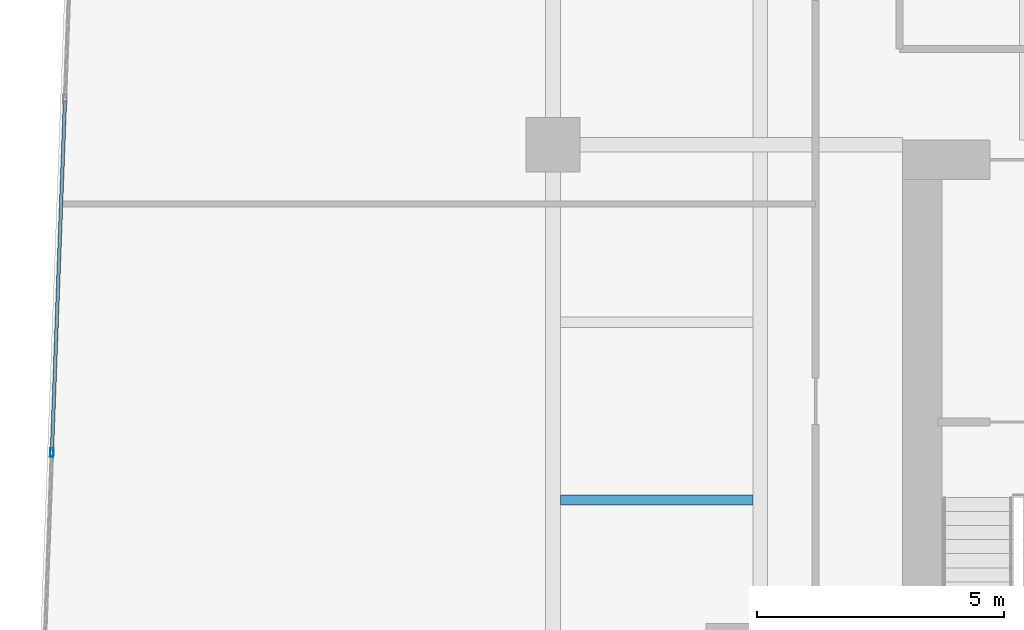
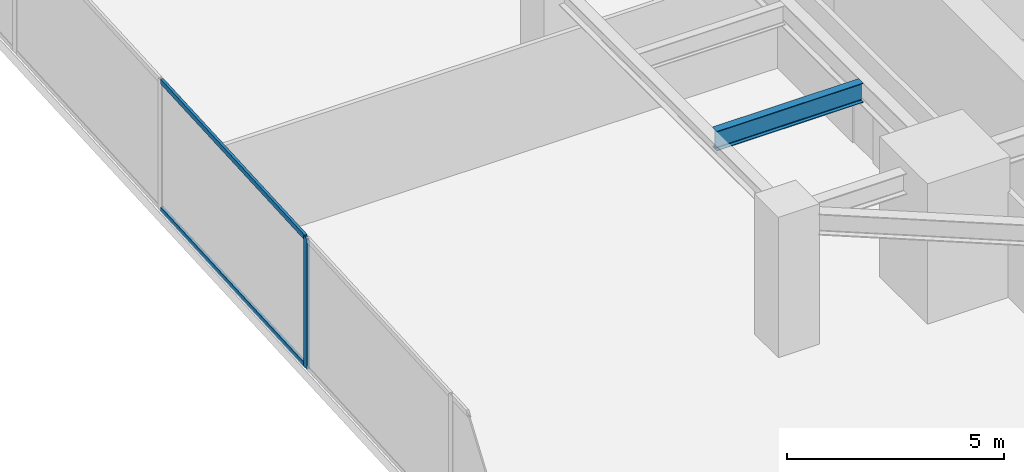
# One storey, part 8 of 30: 3 members, 1 beam, 1 element without a shape of its own.
"""IFC4 building model written with IfcOpenShell, lengths in metres."""

from ifc_helpers import new_model, si_unit, direction, frame, origin, origin_2d, place, context, subcontext, project, spatial, hollow_rectangle, i_section, extrude, source, transform, mapped, material, material_profile, profile_set, type_object, type_shapes, element, aggregate, save


model = new_model("IFC4")

# Units and contexts
model_context = context("Model", 3, precision=1e-05, world=origin(), true_north=direction((0.0, 1.0)))
body_context = subcontext(model_context, "Body", "Model", "MODEL_VIEW")
ifc_project = project(units=[si_unit("LENGTHUNIT", "METRE"), si_unit("AREAUNIT", "SQUARE_METRE"), si_unit("VOLUMEUNIT", "CUBIC_METRE"), si_unit("PLANEANGLEUNIT", "RADIAN"), si_unit("MASSUNIT", "GRAM", prefix="KILO")], contexts=[model_context])

# Site, building, storey
site_placement = place(None, origin())
site = spatial("IfcSite", under=ifc_project, at=site_placement, CompositionType="ELEMENT")
building_placement = place(site_placement, origin())
building = spatial("IfcBuilding", under=site, at=building_placement, Name="Krantzveldt Concourse Tower", CompositionType="ELEMENT")
storey_placement = place(building_placement, frame((0.0, 0.0, 40.800048828125)))
storey = spatial("IfcBuildingStorey", under=building, at=storey_placement, Name="L09", CompositionType="ELEMENT", Elevation=40.800048828125)

# Beam
ifc_material_1 = material(Name="Steel S355JR", Category="steel")
ifc_material_profile_1 = material_profile(ifc_material_1, i_section(OverallWidth=0.2099609375, OverallDepth=0.550048828125, WebThickness=0.010986328125, FlangeThickness=0.01708984375, FilletRadius=0.02392578125, at=origin_2d()), Name="Steel S355JR", Category="steel")
ifc_profile_set_1 = profile_set([ifc_material_profile_1], Name="Steel S355JR - IPE 550")
beam_type = type_object("IfcBeamType", Name="BM-J-IPE550", PredefinedType="JOIST", material=ifc_profile_set_1)
shared_shape_1 = source(origin(), body_context, "Body", "SweptSolid", [
    extrude(i_section(OverallWidth=0.2099609375, OverallDepth=0.550048828125, WebThickness=0.010986328125, FlangeThickness=0.01708984375, FilletRadius=0.02392578125, at=origin_2d()), origin(), (0.0, 0.0, 1.0), 3.900146484375),
])
type_shapes(beam_type, [shared_shape_1])
beam_placement = place(storey_placement, frame((21.14990234375, 19.5, 3.39501953125), z_axis=(1.0, 0.0, 0.0), x_axis=(0.0, 1.0, 0.0)))
element("IfcBeam", 1, at=beam_placement, inside=storey, type_object=beam_type, Name="L09 Secondary Floor Joist JW-1", PredefinedType="JOIST", context=body_context, shape_type="MappedRepresentation", body=[
    mapped(shared_shape_1, transform((0.0, 0.0, 0.0), x_axis=(1.0, 0.0, 0.0), y_axis=(0.0, 1.0, 0.0), z_axis=(0.0, 0.0, 1.0), scale=1.0)),
])

# Curtain wall, members
ifc_material_2 = material(Name="Anodised aluminium 6063-T6", Category="aluminium")
curtain_wall_type = type_object("IfcCurtainWallType", Name="CW2", PredefinedType="USERDEFINED", material=ifc_material_2)
curtain_wall_placement = place(storey_placement, origin())
curtain_wall = element("IfcCurtainWall", 2, at=curtain_wall_placement, inside=storey, type_object=curtain_wall_type, Name="CW-L09-F01", ObjectType="UNITISED CURTAIN WALL", PredefinedType="USERDEFINED")
ifc_material_profile_2 = material_profile(ifc_material_2, hollow_rectangle(XDim=0.070068359375, YDim=0.179931640625, WallThickness=0.0048828125, at=origin_2d()), Name="Anodised aluminium 6063-T6", Category="aluminium")
ifc_profile_set_2 = profile_set([ifc_material_profile_2], Name="Anodised aluminium 6063-T6 - ALU-MULL 180x70x5")
member_type_1 = type_object("IfcMemberType", Name="CW-MUL-180", PredefinedType="MULLION", material=ifc_profile_set_2)
shared_shape_2 = source(origin(), body_context, "Body", "SweptSolid", [
    extrude(hollow_rectangle(XDim=0.070068359375, YDim=0.179931640625, WallThickness=0.0048828125, at=origin_2d()), origin(), (0.0, 0.0, 1.0), 3.669921875),
])
type_shapes(member_type_1, [shared_shape_2])
member_1_placement = place(storey_placement, frame((10.84130859375, 20.4619140625, 0.0), z_axis=(0.0, 0.0, 1.0), x_axis=(0.999312308986, -0.037079766834, 0.0)))
member_1 = element("IfcMember", 3, at=member_1_placement, type_object=member_type_1, Name="CW-Z12 mullion 5", PredefinedType="MULLION", context=body_context, shape_type="MappedRepresentation", body=[
    mapped(shared_shape_2, transform((0.0, 0.0, 0.0), x_axis=(1.0, 0.0, 0.0), y_axis=(0.0, 1.0, 0.0), z_axis=(0.0, 0.0, 1.0), scale=1.0)),
])
ifc_material_profile_3 = material_profile(ifc_material_2, hollow_rectangle(XDim=0.070068359375, YDim=0.139892578125, WallThickness=0.0048828125, at=origin_2d()), Name="Anodised aluminium 6063-T6", Category="aluminium")
ifc_profile_set_3 = profile_set([ifc_material_profile_3], Name="Anodised aluminium 6063-T6 - ALU-TRAN 140x70x5")
member_type_2 = type_object("IfcMemberType", Name="CW-TRN-150", PredefinedType="USERDEFINED", material=ifc_profile_set_3)
shared_shape_3 = source(origin(), body_context, "Body", "SweptSolid", [
    extrude(hollow_rectangle(XDim=0.070068359375, YDim=0.139892578125, WallThickness=0.0048828125, at=origin_2d()), origin(), (0.0, 0.0, 1.0), 7.0966796875),
])
type_shapes(member_type_2, [shared_shape_3])
member_2_placement = place(storey_placement, frame((11.10595703125, 27.588623046875, 0.034912109375), z_axis=(-0.037085459975, -0.999312097724, 0.0), x_axis=(0.999312097724, -0.037085459975, 0.0)))
member_2 = element("IfcMember", 4, at=member_2_placement, type_object=member_type_2, Name="CW-Z12 transom 4.1", ObjectType="TRANSOM", PredefinedType="USERDEFINED", context=body_context, shape_type="MappedRepresentation", body=[
    mapped(shared_shape_3, transform((0.0, 0.0, 0.0), x_axis=(1.0, 0.0, 0.0), y_axis=(0.0, 1.0, 0.0), z_axis=(0.0, 0.0, 1.0), scale=1.0)),
])
member_3_placement = place(storey_placement, frame((11.10595703125, 27.588623046875, 3.635009765625), z_axis=(-0.037085459975, -0.999312097724, 0.0), x_axis=(0.999312097724, -0.037085459975, 0.0)))
member_3 = element("IfcMember", 5, at=member_3_placement, type_object=member_type_2, Name="CW-Z12 transom 4.2", ObjectType="TRANSOM", PredefinedType="USERDEFINED", context=body_context, shape_type="MappedRepresentation", body=[
    mapped(shared_shape_3, transform((0.0, 0.0, 0.0), x_axis=(1.0, 0.0, 0.0), y_axis=(0.0, 1.0, 0.0), z_axis=(0.0, 0.0, 1.0), scale=1.0)),
])
aggregate(curtain_wall, [member_1, member_2, member_3])

save(model, "model.ifc")
